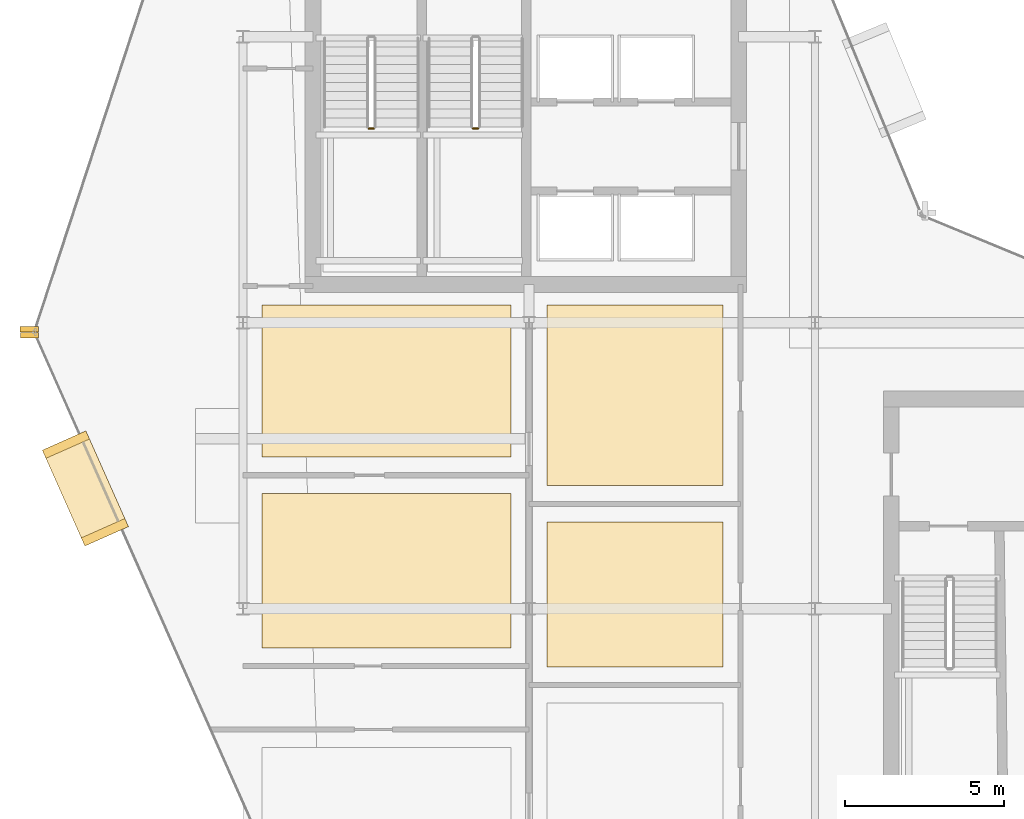
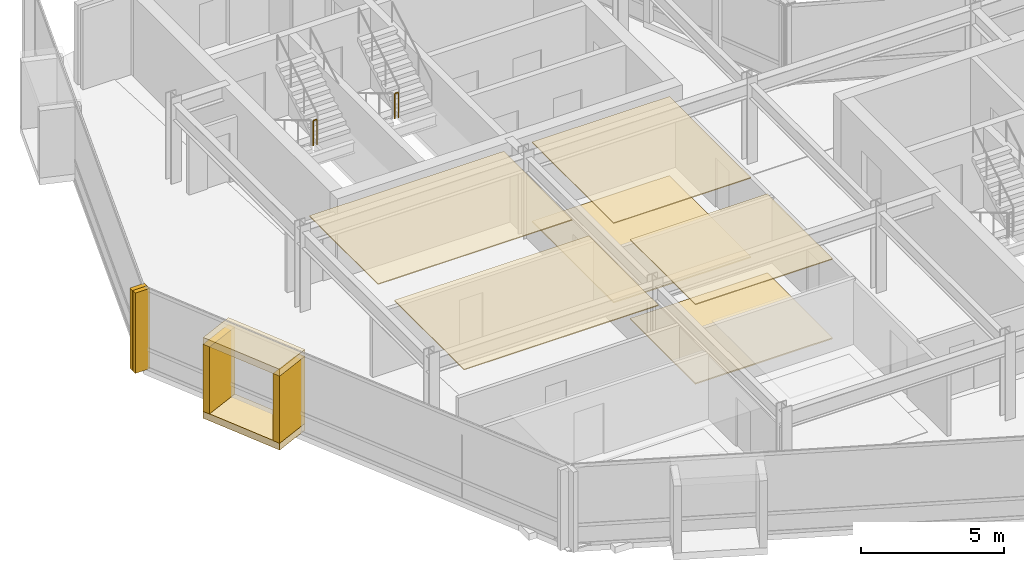
# One storey, part 24 of 28: 12 coverings, 2 railings.
"""IFC4 building model written with IfcOpenShell, lengths in metres."""

from ifc_helpers import new_model, si_unit, direction, frame, origin, origin_2d, place, context, subcontext, project, spatial, polyline, rectangle, circle, outline, extrude, material, layer, layer_set, type_object, element, save


model = new_model("IFC4")

# Units and contexts
model_context = context("Model", 3, precision=1e-05, world=origin(), true_north=direction((0.0, 1.0)))
body_context = subcontext(model_context, "Body", "Model", "MODEL_VIEW")
ifc_project = project(units=[si_unit("LENGTHUNIT", "METRE"), si_unit("AREAUNIT", "SQUARE_METRE"), si_unit("VOLUMEUNIT", "CUBIC_METRE"), si_unit("PLANEANGLEUNIT", "RADIAN"), si_unit("MASSUNIT", "GRAM", prefix="KILO")], contexts=[model_context])

# Site, building, storey
site_placement = place(None, origin())
site = spatial("IfcSite", under=ifc_project, at=site_placement, CompositionType="ELEMENT")
building_placement = place(site_placement, origin())
building = spatial("IfcBuilding", under=site, at=building_placement, Name="Solvaryn Broadcast Tower", CompositionType="ELEMENT")
storey_placement = place(building_placement, frame((0.0, 0.0, 213.60009765625)))
storey = spatial("IfcBuildingStorey", under=building, at=storey_placement, Name="L53", CompositionType="ELEMENT", Elevation=213.60009765625)

# Coverings
ifc_material_1 = material(Name="Micro-Perforated Acoustic Gypsum Ceiling", Category="concrete")
ifc_layer_1 = layer(ifc_material_1, 0.0400390625)
ifc_layer_set_1 = layer_set([ifc_layer_1], Name="CV-CEIL-ACOUSTIC")
covering_type_1 = type_object("IfcCoveringType", Name="CV-CEIL-ACOUSTIC", PredefinedType="CEILING", material=ifc_layer_set_1)
covering_1_placement = place(storey_placement, frame((0.0, 0.0, 3.3798828125)))
element("IfcCovering", 1, at=covering_1_placement, inside=storey, type_object=covering_type_1, Name="L53 Room Acoustic Ceiling 2", PredefinedType="CEILING", context=body_context, shape_type="SweptSolid", body=[
    extrude(outline(polyline([(18.570068359375, 16.169921875), (24.10009765625, 16.169921875), (24.10009765625, 20.72998046875), (18.570068359375, 20.72998046875), (18.570068359375, 16.169921875)])), origin(), (0.0, 0.0, 1.0), 0.0400390625),
])
covering_2_placement = place(storey_placement, frame((0.0, 0.0, 3.3798828125)))
element("IfcCovering", 2, at=covering_2_placement, inside=storey, type_object=covering_type_1, Name="L53 Room Acoustic Ceiling 3", PredefinedType="CEILING", context=body_context, shape_type="SweptSolid", body=[
    extrude(outline(polyline([(18.570068359375, 21.8701171875), (24.10009765625, 21.8701171875), (24.10009765625, 27.56005859375), (18.570068359375, 27.56005859375), (18.570068359375, 21.8701171875)])), origin(), (0.0, 0.0, 1.0), 0.0400390625),
])
covering_3_placement = place(storey_placement, frame((0.0, 0.0, 3.3798828125)))
element("IfcCovering", 3, at=covering_3_placement, inside=storey, type_object=covering_type_1, Name="L53 Room Acoustic Ceiling 5", PredefinedType="CEILING", context=body_context, shape_type="SweptSolid", body=[
    extrude(outline(polyline([(9.60009765625, 16.77001953125), (17.429931640625, 16.77001953125), (17.429931640625, 21.6298828125), (9.60009765625, 21.6298828125), (9.60009765625, 16.77001953125)])), origin(), (0.0, 0.0, 1.0), 0.0400390625),
])
covering_4_placement = place(storey_placement, frame((0.0, 0.0, 3.3798828125)))
element("IfcCovering", 4, at=covering_4_placement, inside=storey, type_object=covering_type_1, Name="L53 Room Acoustic Ceiling 6", PredefinedType="CEILING", context=body_context, shape_type="SweptSolid", body=[
    extrude(outline(polyline([(9.60009765625, 22.77001953125), (17.429931640625, 22.77001953125), (17.429931640625, 27.56005859375), (9.60009765625, 27.56005859375), (9.60009765625, 22.77001953125)])), origin(), (0.0, 0.0, 1.0), 0.0400390625),
])
ifc_material_2 = material(Name="Newsroom Raised Data Access Flooring", Category="steel")
ifc_layer_2 = layer(ifc_material_2, 0.050048828125)
ifc_layer_set_2 = layer_set([ifc_layer_2], Name="CV-FLOOR-RAISED")
covering_type_2 = type_object("IfcCoveringType", Name="CV-FLOOR-RAISED", PredefinedType="FLOORING", material=ifc_layer_set_2)
covering_5_placement = place(storey_placement, origin())
element("IfcCovering", 5, at=covering_5_placement, inside=storey, type_object=covering_type_2, Name="L53 Room Acoustic Floor Finish 2", PredefinedType="FLOORING", context=body_context, shape_type="SweptSolid", body=[
    extrude(outline(polyline([(18.570068359375, 16.169921875), (24.10009765625, 16.169921875), (24.10009765625, 20.72998046875), (18.570068359375, 20.72998046875), (18.570068359375, 16.169921875)])), origin(), (0.0, 0.0, 1.0), 0.0498046875),
])
covering_6_placement = place(storey_placement, origin())
element("IfcCovering", 6, at=covering_6_placement, inside=storey, type_object=covering_type_2, Name="L53 Room Acoustic Floor Finish 3", PredefinedType="FLOORING", context=body_context, shape_type="SweptSolid", body=[
    extrude(outline(polyline([(18.570068359375, 21.8701171875), (24.10009765625, 21.8701171875), (24.10009765625, 27.56005859375), (18.570068359375, 27.56005859375), (18.570068359375, 21.8701171875)])), origin(), (0.0, 0.0, 1.0), 0.0498046875),
])
ifc_material_3 = material(Name="Glazed Architectural Terracotta Rainscreen Cladding", Category="masonry")
ifc_layer_3 = layer(ifc_material_3, 0.280029296875)
ifc_layer_set_3 = layer_set([ifc_layer_3], Name="CV-TC-CLAD")
covering_type_3 = type_object("IfcCoveringType", Name="CV-TC-CLAD", PredefinedType="CLADDING", material=ifc_layer_set_3)
for number, where, z_axis, x_axis, name in (
    (7, (4.0390625, 21.784912109375, 3.1298828125), (0.0, 0.0, 1.0), (0.405939269498, -0.913900054426, 0.0), "L53 Projecting Stone Window Box Hood 2"),
    (8, (4.0390625, 21.784912109375, -0.01025390625), (0.0, 0.0, 1.0), (0.405939269498, -0.913900054426, 0.0), "L53 Projecting Stone Window Box Sill 2"),
):
    element("IfcCovering", number, at=place(storey_placement, frame(where, z_axis=z_axis, x_axis=x_axis)), inside=storey, type_object=covering_type_3, Name=name, PredefinedType="CLADDING", context=body_context, shape_type="SweptSolid", body=[
        extrude(rectangle(XDim=3.300048828125, YDim=1.5, at=origin_2d()), origin(), (0.0, 0.0, 1.0), 0.300048828125),
    ])
for number, where, z_axis, x_axis, name in (
    (9, (3.426025390625, 23.1650390625, 0.27978515625), (0.0, 0.0, 1.0), (0.405939269498, -0.913900054426, 0.0), "L53 Projecting Stone Window Box Cheek 2-1"),
    (10, (4.652099609375, 20.405029296875, 0.27978515625), (0.0, 0.0, 1.0), (0.405939269498, -0.913900054426, 0.0), "L53 Projecting Stone Window Box Cheek 2-2"),
):
    element("IfcCovering", number, at=place(storey_placement, frame(where, z_axis=z_axis, x_axis=x_axis)), inside=storey, type_object=covering_type_3, Name=name, PredefinedType="CLADDING", context=body_context, shape_type="SweptSolid", body=[
        extrude(rectangle(XDim=0.280029296875, YDim=1.5, at=origin_2d()), origin(), (0.0, 0.0, 1.0), 2.860107421875),
    ])
ifc_material_4 = material(Name="Extruded Architectural Terracotta Fin", Category="masonry")
ifc_layer_4 = layer(ifc_material_4, 0.179931640625)
ifc_layer_set_4 = layer_set([ifc_layer_4], Name="CV-TC-FIN")
covering_type_4 = type_object("IfcCoveringType", Name="CV-TC-FIN", PredefinedType="USERDEFINED", material=ifc_layer_set_4)
for number, where, z_axis, x_axis, name in (
    (11, (2.271240234375, 26.790771484375, 0.0), (0.0, 0.0, 1.0), (1.0, 0.0, 0.0), "L53 Terracotta Vertical Fin FIN-L53-DR1-M01"),
    (12, (2.281005859375, 26.605712890625, 0.0), (0.0, 0.0, 1.0), (1.0, 0.0, 0.0), "L53 Terracotta Vertical Fin FIN-L53-DR2-M00"),
):
    element("IfcCovering", number, at=place(storey_placement, frame(where, z_axis=z_axis, x_axis=x_axis)), inside=storey, type_object=covering_type_4, Name=name, ObjectType="FIN", PredefinedType="USERDEFINED", context=body_context, shape_type="SweptSolid", body=[
        extrude(rectangle(XDim=0.580078125, YDim=0.179931640625, at=origin_2d()), origin(), (0.0, 0.0, 1.0), 3.419921875),
    ])

# Railings
ifc_material_5 = material(Name="Painted Steel Stair Well Guard", Category="steel")
railing_type = type_object("IfcRailingType", Name="RL-STAIR-GUARD", PredefinedType="BALUSTRADE", material=ifc_material_5)
railing_1_placement = place(storey_placement, frame((12.9599609375, 33.110107421875, 1.849853515625)))
element("IfcRailing", 13, at=railing_1_placement, inside=storey, type_object=railing_type, Name="L53 ST1 stair guard 2", PredefinedType="BALUSTRADE", context=body_context, shape_type="SweptSolid", body=[
    extrude(circle(Radius=0.02392578125, at=origin_2d()), frame((0.0, 0.0, 1.076171875), z_axis=(1.0, 0.0, 0.0), x_axis=(0.0, 1.0, 0.0)), (0.0, 0.0, 1.0), 0.150146484375),
    extrude(circle(Radius=0.02099609375, at=origin_2d()), origin(), (0.0, 0.0, 1.0), 1.052001953125),
    extrude(circle(Radius=0.02099609375, at=origin_2d()), frame((0.150146484375, 0.0, 0.0)), (0.0, 0.0, 1.0), 1.052001953125),
])
railing_2_placement = place(storey_placement, frame((16.239990234375, 33.110107421875, 1.849853515625)))
element("IfcRailing", 14, at=railing_2_placement, inside=storey, type_object=railing_type, Name="L53 ST2 stair guard 2", PredefinedType="BALUSTRADE", context=body_context, shape_type="SweptSolid", body=[
    extrude(circle(Radius=0.02392578125, at=origin_2d()), frame((0.0, 0.0, 1.076171875), z_axis=(1.0, 0.0, 0.0), x_axis=(0.0, 1.0, 0.0)), (0.0, 0.0, 1.0), 0.14990234375),
    extrude(circle(Radius=0.02099609375, at=origin_2d()), origin(), (0.0, 0.0, 1.0), 1.052001953125),
    extrude(circle(Radius=0.02099609375, at=origin_2d()), frame((0.14990234375, 0.0, 0.0)), (0.0, 0.0, 1.0), 1.052001953125),
])

save(model, "model.ifc")
